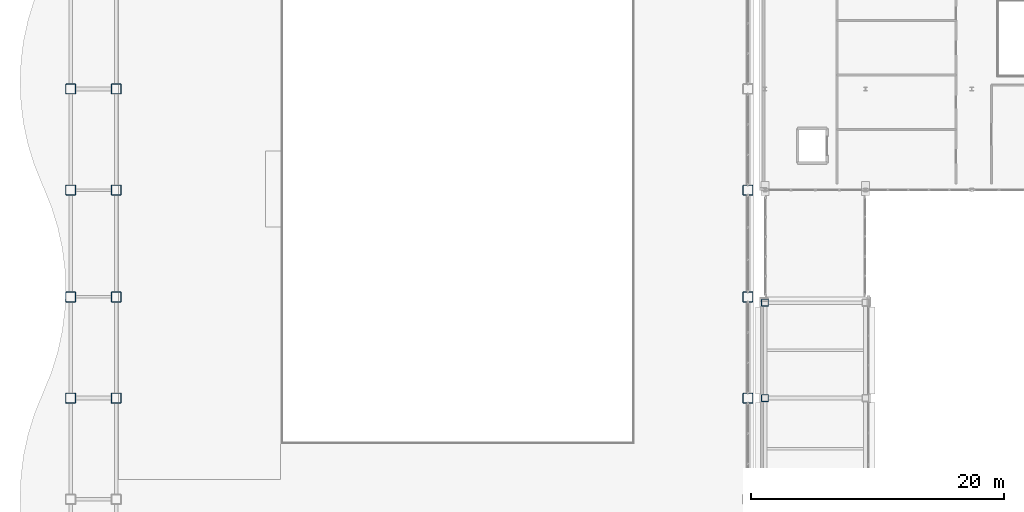
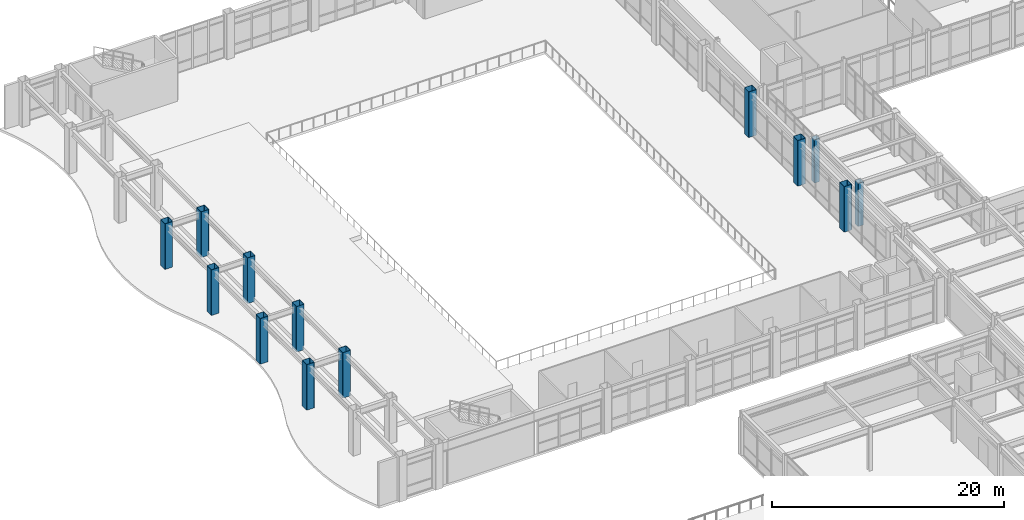
# One storey, part 6 of 154: 13 columns.
"""IFC4 building model written with IfcOpenShell, lengths in metres."""

from ifc_helpers import new_model, si_unit, direction, frame, origin, origin_2d, place, context, subcontext, project, spatial, hollow_rectangle, extrude, material, material_profile, profile_set, type_object, element, save


model = new_model("IFC4")

# Units and contexts
model_context = context("Model", 3, precision=1e-05, world=origin(), true_north=direction((0.0, 1.0)))
body_context = subcontext(model_context, "Body", "Model", "MODEL_VIEW")
ifc_project = project(units=[si_unit("LENGTHUNIT", "METRE"), si_unit("AREAUNIT", "SQUARE_METRE"), si_unit("VOLUMEUNIT", "CUBIC_METRE"), si_unit("PLANEANGLEUNIT", "RADIAN"), si_unit("MASSUNIT", "GRAM", prefix="KILO")], contexts=[model_context])

# Site, building, storey
site_placement = place(None, origin())
site = spatial("IfcSite", under=ifc_project, at=site_placement, CompositionType="ELEMENT")
building_placement = place(site_placement, origin())
building = spatial("IfcBuilding", under=site, at=building_placement, Name="Kazehara Bluff Congress Hotel", CompositionType="ELEMENT")
storey_placement = place(building_placement, frame((0.0, 0.0, 10.199951171875)))
storey = spatial("IfcBuildingStorey", under=building, at=storey_placement, Name="L02", CompositionType="ELEMENT", Elevation=10.199951171875)

# Columns
ifc_material_1 = material(Name="Steel BCR295", Category="steel")
ifc_material_profile_1 = material_profile(ifc_material_1, hollow_rectangle(XDim=0.800048828125, YDim=0.800048828125, WallThickness=0.031982421875, InnerFilletRadius=0.031982421875, OuterFilletRadius=0.06396484375, at=origin_2d()))
ifc_profile_set_1 = profile_set([ifc_material_profile_1], Name="Steel BCR295")
column_type_1 = type_object("IfcColumnType", Name="TP-C-02", PredefinedType="COLUMN", material=ifc_profile_set_1)
for number, where, z_axis, x_axis, name in (
    (1, (4.800048828125, 64.449951171875, 0.0), (0.0, 0.0, 1.0), (1.0, 0.0, 0.0), "L02 column C-02 (4.80,64.45)"),
    (2, (4.800048828125, 72.449951171875, 0.0), (0.0, 0.0, 1.0), (1.0, 0.0, 0.0), "L02 column C-02 (4.80,72.45)"),
    (3, (4.800048828125, 80.89990234375, 0.0), (0.0, 0.0, 1.0), (1.0, 0.0, 0.0), "L02 column C-02 (4.80,80.90)"),
    (4, (4.800048828125, 88.89990234375, 0.0), (0.0, 0.0, 1.0), (1.0, 0.0, 0.0), "L02 column C-02 (4.80,88.90)"),
    (5, (8.39990234375, 64.449951171875, 0.0), (0.0, 0.0, 1.0), (1.0, 0.0, 0.0), "L02 column C-02 (8.40,64.45)"),
    (6, (8.39990234375, 72.449951171875, 0.0), (0.0, 0.0, 1.0), (1.0, 0.0, 0.0), "L02 column C-02 (8.40,72.45)"),
    (7, (8.39990234375, 80.89990234375, 0.0), (0.0, 0.0, 1.0), (1.0, 0.0, 0.0), "L02 column C-02 (8.40,80.90)"),
    (8, (8.39990234375, 88.89990234375, 0.0), (0.0, 0.0, 1.0), (1.0, 0.0, 0.0), "L02 column C-02 (8.40,88.90)"),
    (9, (58.35009765625, 64.449951171875, 0.0), (0.0, 0.0, 1.0), (1.0, 0.0, 0.0), "L02 column C-02 (58.35,64.45)"),
    (10, (58.35009765625, 72.449951171875, 0.0), (0.0, 0.0, 1.0), (1.0, 0.0, 0.0), "L02 column C-02 (58.35,72.45)"),
    (11, (58.35009765625, 80.89990234375, 0.0), (0.0, 0.0, 1.0), (1.0, 0.0, 0.0), "L02 column C-02 (58.35,80.90)"),
):
    element("IfcColumn", number, at=place(storey_placement, frame(where, z_axis=z_axis, x_axis=x_axis)), inside=storey, type_object=column_type_1, Name=name, PredefinedType="COLUMN", context=body_context, shape_type="SweptSolid", body=[
        extrude(hollow_rectangle(XDim=0.800048828125, YDim=0.800048828125, WallThickness=0.031982421875, InnerFilletRadius=0.031982421875, OuterFilletRadius=0.06396484375, at=origin_2d()), origin(), (0.0, 0.0, 1.0), 4.800048828125),
    ])
ifc_material_2 = material(Name="Steel BCR295", Category="steel")
ifc_material_profile_2 = material_profile(ifc_material_2, hollow_rectangle(XDim=0.550048828125, YDim=0.550048828125, WallThickness=0.02197265625, InnerFilletRadius=0.02197265625, OuterFilletRadius=0.0439453125, at=origin_2d()))
ifc_profile_set_2 = profile_set([ifc_material_profile_2], Name="Steel BCR295")
column_type_2 = type_object("IfcColumnType", Name="TP-C-06", PredefinedType="COLUMN", material=ifc_profile_set_2)
for number, where, z_axis, x_axis, name in (
    (12, (59.699951171875, 64.449951171875, 0.0), (0.0, 0.0, 1.0), (1.0, 0.0, 0.0), "L02 column C-06 (59.70,64.45)"),
    (13, (59.699951171875, 72.0, 0.0), (0.0, 0.0, 1.0), (1.0, 0.0, 0.0), "L02 column C-06 (59.70,72.00)"),
):
    element("IfcColumn", number, at=place(storey_placement, frame(where, z_axis=z_axis, x_axis=x_axis)), inside=storey, type_object=column_type_2, Name=name, PredefinedType="COLUMN", context=body_context, shape_type="SweptSolid", body=[
        extrude(hollow_rectangle(XDim=0.550048828125, YDim=0.550048828125, WallThickness=0.02197265625, InnerFilletRadius=0.02197265625, OuterFilletRadius=0.0439453125, at=origin_2d()), origin(), (0.0, 0.0, 1.0), 4.56005859375),
    ])

save(model, "model.ifc")
